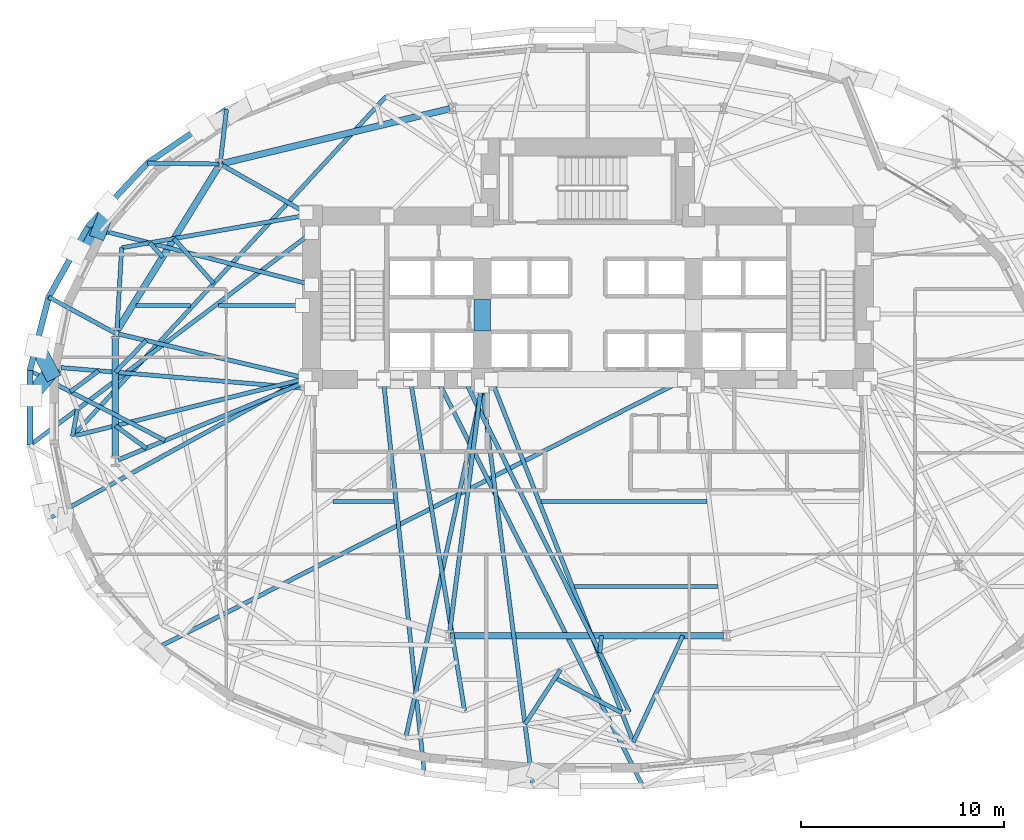
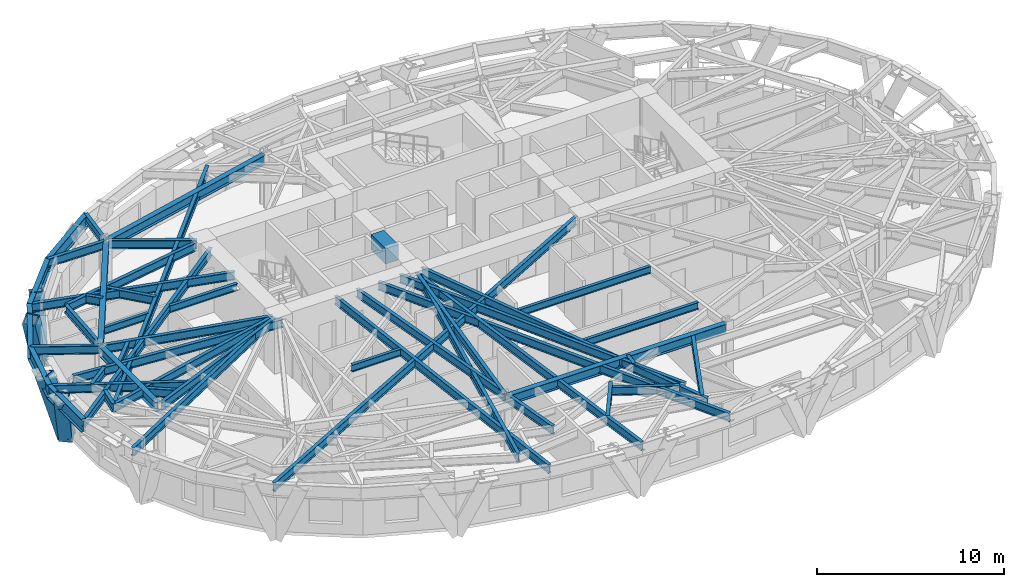
# One storey, part 2 of 15: 49 beams, 4 members.
"""IFC4 building model written with IfcOpenShell, lengths in metres."""

from ifc_helpers import new_model, si_unit, direction, frame, origin, origin_2d, place, context, subcontext, project, spatial, rectangle, hollow_rectangle, i_section, extrude, material, material_profile, profile_set, type_object, element, save


model = new_model("IFC4")

# Units and contexts
model_context = context("Model", 3, precision=1e-05, world=origin(), true_north=direction((0.0, 1.0)))
body_context = subcontext(model_context, "Body", "Model", "MODEL_VIEW")
ifc_project = project(units=[si_unit("LENGTHUNIT", "METRE"), si_unit("AREAUNIT", "SQUARE_METRE"), si_unit("VOLUMEUNIT", "CUBIC_METRE"), si_unit("PLANEANGLEUNIT", "RADIAN"), si_unit("MASSUNIT", "GRAM", prefix="KILO")], contexts=[model_context])

# Site, building, storey
site_placement = place(None, origin())
site = spatial("IfcSite", under=ifc_project, at=site_placement, CompositionType="ELEMENT")
building_placement = place(site_placement, origin())
building = spatial("IfcBuilding", under=site, at=building_placement, Name="Keldmark Tower", CompositionType="ELEMENT")
storey_placement = place(building_placement, frame((0.0, 0.0, 37.800048828125)))
storey = spatial("IfcBuildingStorey", under=building, at=storey_placement, Name="L09", CompositionType="ELEMENT", Elevation=37.800048828125)

# Beams
ifc_material_1 = material(Name="Steel ASTM A992 Grade 50", Category="steel")
ifc_material_profile_1 = material_profile(ifc_material_1, i_section(OverallWidth=0.19091796875, OverallDepth=0.45703125, WebThickness=0.009033203125, FlangeThickness=0.014404296875, at=origin_2d()), Name="W18X50")
ifc_profile_set_1 = profile_set([ifc_material_profile_1], Name="Steel ASTM A992 Grade 50")
beam_type_1 = type_object("IfcBeamType", Name="Composite Floor Joist W18X50", PredefinedType="JOIST", material=ifc_profile_set_1)
beam_1_placement = place(storey_placement, frame((-0.66064453125, -8.780029296875, 3.17138671875), z_axis=(1.0, 0.0, 0.0), x_axis=(0.0, 1.0, 0.0)))
element("IfcBeam", 1, at=beam_1_placement, inside=storey, type_object=beam_type_1, Name="L09 Composite Floor Joist J05", PredefinedType="JOIST", context=body_context, shape_type="SweptSolid", body=[
    extrude(i_section(OverallWidth=0.19091796875, OverallDepth=0.45703125, WebThickness=0.009033203125, FlangeThickness=0.014404296875, at=origin_2d()), origin(), (0.0, 0.0, 1.0), 7.07177734375),
])
beam_2_placement = place(storey_placement, frame((-12.5537109375, -4.60009765625, 3.17138671875), z_axis=(1.0, 0.0, 0.0), x_axis=(0.0, 1.0, 0.0)))
element("IfcBeam", 2, at=beam_2_placement, inside=storey, type_object=beam_type_1, Name="L09 Composite Floor Joist J07", PredefinedType="JOIST", context=body_context, shape_type="SweptSolid", body=[
    extrude(i_section(OverallWidth=0.19091796875, OverallDepth=0.45703125, WebThickness=0.009033203125, FlangeThickness=0.014404296875, at=origin_2d()), origin(), (0.0, 0.0, 1.0), 3.016357421875),
])
beam_3_placement = place(storey_placement, frame((-2.29736328125, -4.60009765625, 3.17138671875), z_axis=(1.0, 0.0, 0.0), x_axis=(0.0, 1.0, 0.0)))
element("IfcBeam", 3, at=beam_3_placement, inside=storey, type_object=beam_type_1, Name="L09 Composite Floor Joist J08", PredefinedType="JOIST", context=body_context, shape_type="SweptSolid", body=[
    extrude(i_section(OverallWidth=0.19091796875, OverallDepth=0.45703125, WebThickness=0.009033203125, FlangeThickness=0.014404296875, at=origin_2d()), origin(), (0.0, 0.0, 1.0), 8.170654296875),
])
beam_4_placement = place(storey_placement, frame((-22.2294921875, 5.0400390625, 3.17138671875), z_axis=(1.0, 0.0, 0.0), x_axis=(0.0, 1.0, 0.0)))
element("IfcBeam", 4, at=beam_4_placement, inside=storey, type_object=beam_type_1, Name="L09 Composite Floor Joist J11", PredefinedType="JOIST", context=body_context, shape_type="SweptSolid", body=[
    extrude(i_section(OverallWidth=0.19091796875, OverallDepth=0.45703125, WebThickness=0.009033203125, FlangeThickness=0.014404296875, at=origin_2d()), origin(), (0.0, 0.0, 1.0), 2.66943359375),
])
beam_5_placement = place(storey_placement, frame((-18.187255859375, 5.0400390625, 3.17138671875), z_axis=(1.0, 0.0, 0.0), x_axis=(0.0, 1.0, 0.0)))
element("IfcBeam", 5, at=beam_5_placement, inside=storey, type_object=beam_type_1, Name="L09 Composite Floor Joist J12", PredefinedType="JOIST", context=body_context, shape_type="SweptSolid", body=[
    extrude(i_section(OverallWidth=0.19091796875, OverallDepth=0.45703125, WebThickness=0.009033203125, FlangeThickness=0.014404296875, at=origin_2d()), origin(), (0.0, 0.0, 1.0), 4.142333984375),
])
ifc_material_2 = material(Name="Concrete C70/85", Category="concrete")
ifc_material_profile_2 = material_profile(ifc_material_2, rectangle(XDim=0.800048828125, YDim=1.0, at=origin_2d()), Name="RCB800X1000")
ifc_profile_set_2 = profile_set([ifc_material_profile_2], Name="Concrete C70/85")
beam_type_2 = type_object("IfcBeamType", Name="Core Coupling Beam RCB800X1000", PredefinedType="USERDEFINED", material=ifc_profile_set_2)
beam_6_placement = place(storey_placement, frame((-5.199951171875, 3.800048828125, 2.89990234375), z_axis=(0.0, 1.0, 0.0), x_axis=(-1.0, 0.0, 0.0)))
element("IfcBeam", 6, at=beam_6_placement, inside=storey, type_object=beam_type_2, Name="L09 West Core Coupling Beam", ObjectType="COUPLING BEAM", PredefinedType="USERDEFINED", context=body_context, shape_type="SweptSolid", body=[
    extrude(rectangle(XDim=0.800048828125, YDim=1.0, at=origin_2d()), origin(), (0.0, 0.0, 1.0), 1.550048828125),
])

# Members
ifc_material_3 = material(Name="Steel ASTM A572 Grade 50", Category="steel")
ifc_material_profile_3 = material_profile(ifc_material_3, hollow_rectangle(XDim=0.75, YDim=0.75, WallThickness=0.06494140625, at=origin_2d()), Name="BOX750X750X65")
ifc_profile_set_3 = profile_set([ifc_material_profile_3], Name="Steel ASTM A572 Grade 50")
member_type = type_object("IfcMemberType", Name="Diagrid Lower Brace BOX750X750X65", PredefinedType="BRACE", material=ifc_profile_set_3)
member_1_placement = place(storey_placement, frame((-24.059814453125, 8.689697265625, -0.280029296875), z_axis=(0.125442726362, 0.324376501536, 0.93757346787), x_axis=(-0.932686500916, 0.360688079938, 0.0)))
element("IfcMember", 7, at=member_1_placement, inside=storey, type_object=member_type, Name="L09 Perimeter Diagrid Brace 07A", PredefinedType="BRACE", context=body_context, shape_type="SweptSolid", body=[
    extrude(hollow_rectangle(XDim=0.75, YDim=0.75, WallThickness=0.06494140625, at=origin_2d()), origin(), (0.0, 0.0, 1.0), 3.797119140625),
])
member_2_placement = place(storey_placement, frame((-24.053466796875, 8.69970703125, -0.280029296875), z_axis=(-0.296475355452, -0.25052831145, 0.921595317247), x_axis=(0.645438466193, -0.763812271673, 0.0)))
element("IfcMember", 8, at=member_2_placement, inside=storey, type_object=member_type, Name="L09 Perimeter Diagrid Brace 07B", PredefinedType="BRACE", context=body_context, shape_type="SweptSolid", body=[
    extrude(hollow_rectangle(XDim=0.75, YDim=0.75, WallThickness=0.06494140625, at=origin_2d()), origin(), (0.0, 0.0, 1.0), 3.863037109375),
])
member_3_placement = place(storey_placement, frame((-26.43798828125, 1.750244140625, -0.280029296875), z_axis=(-0.172317654583, 0.331595398058, 0.927551140318), x_axis=(-0.887339394484, -0.461116903828, 0.0)))
element("IfcMember", 9, at=member_3_placement, inside=storey, type_object=member_type, Name="L09 Perimeter Diagrid Brace 08A", PredefinedType="BRACE", context=body_context, shape_type="SweptSolid", body=[
    extrude(hollow_rectangle(XDim=0.75, YDim=0.75, WallThickness=0.06494140625, at=origin_2d()), origin(), (0.0, 0.0, 1.0), 3.838134765625),
])
member_4_placement = place(storey_placement, frame((-26.435546875, 1.76171875, -0.280029296875), z_axis=(-0.251016932133, -0.299124301923, 0.920605861258), x_axis=(0.766016901718, -0.642820430822, 0.0)))
element("IfcMember", 10, at=member_4_placement, inside=storey, type_object=member_type, Name="L09 Perimeter Diagrid Brace 08B", PredefinedType="BRACE", context=body_context, shape_type="SweptSolid", body=[
    extrude(hollow_rectangle(XDim=0.75, YDim=0.75, WallThickness=0.06494140625, at=origin_2d()), origin(), (0.0, 0.0, 1.0), 3.8671875),
])

# Beams
ifc_material_4 = material(Name="Steel ASTM A992 Grade 50", Category="steel")
ifc_material_profile_4 = material_profile(ifc_material_4, i_section(OverallWidth=0.323974609375, OverallDepth=0.611083984375, WebThickness=0.0126953125, FlangeThickness=0.01904296875, at=origin_2d()), Name="W24X104")
ifc_profile_set_4 = profile_set([ifc_material_profile_4], Name="Steel ASTM A992 Grade 50")
beam_type_3 = type_object("IfcBeamType", Name="Primary Floor Girder W24X104", PredefinedType="BEAM", material=ifc_profile_set_4)
beam_7_placement = place(storey_placement, frame((-6.80126953125, 14.727294921875, 3.094482421875), z_axis=(-0.972218707757, -0.2340743136, 0.0), x_axis=(0.2340743136, -0.972218707757, 0.0)))
element("IfcBeam", 11, at=beam_7_placement, inside=storey, type_object=beam_type_3, Name="L09 Floor Ring Girder FG-R04", PredefinedType="BEAM", context=body_context, shape_type="SweptSolid", body=[
    extrude(i_section(OverallWidth=0.323974609375, OverallDepth=0.611083984375, WebThickness=0.0126953125, FlangeThickness=0.01904296875, at=origin_2d()), origin(), (0.0, 0.0, 1.0), 11.479248046875),
])
beam_8_placement = place(storey_placement, frame((-18.17138671875, 11.888427734375, 3.094482421875), z_axis=(-0.526318405849, -0.850287560573, 0.0), x_axis=(0.850287560573, -0.526318405849, 0.0)))
element("IfcBeam", 12, at=beam_8_placement, inside=storey, type_object=beam_type_3, Name="L09 Floor Ring Girder FG-R05", PredefinedType="BEAM", context=body_context, shape_type="SweptSolid", body=[
    extrude(i_section(OverallWidth=0.323974609375, OverallDepth=0.611083984375, WebThickness=0.0126953125, FlangeThickness=0.01904296875, at=origin_2d()), origin(), (0.0, 0.0, 1.0), 9.51708984375),
])
beam_9_placement = place(storey_placement, frame((-23.25390625, 3.537109375, 3.094482421875), z_axis=(0.0, -1.0, 0.0), x_axis=(1.0, 0.0, 0.0)))
element("IfcBeam", 13, at=beam_9_placement, inside=storey, type_object=beam_type_3, Name="L09 Floor Ring Girder FG-R06", PredefinedType="BEAM", context=body_context, shape_type="SweptSolid", body=[
    extrude(i_section(OverallWidth=0.323974609375, OverallDepth=0.611083984375, WebThickness=0.0126953125, FlangeThickness=0.01904296875, at=origin_2d()), origin(), (0.0, 0.0, 1.0), 6.01025390625),
])
beam_10_placement = place(storey_placement, frame((-6.68212890625, -11.205810546875, 3.094482421875), z_axis=(1.0, 0.0, 0.0), x_axis=(0.0, 1.0, 0.0)))
element("IfcBeam", 14, at=beam_10_placement, inside=storey, type_object=beam_type_3, Name="L09 Floor Ring Girder FG-R09", PredefinedType="BEAM", context=body_context, shape_type="SweptSolid", body=[
    extrude(i_section(OverallWidth=0.323974609375, OverallDepth=0.611083984375, WebThickness=0.0126953125, FlangeThickness=0.01904296875, at=origin_2d()), origin(), (0.0, 0.0, 1.0), 13.3642578125),
])
ifc_material_5 = material(Name="Steel ASTM A992 Grade 50", Category="steel")
ifc_material_profile_5 = material_profile(ifc_material_5, i_section(OverallWidth=0.2099609375, OverallDepth=0.537109375, WebThickness=0.010986328125, FlangeThickness=0.017333984375, at=origin_2d()), Name="W21X68")
ifc_profile_set_5 = profile_set([ifc_material_profile_5], Name="Steel ASTM A992 Grade 50")
beam_type_4 = type_object("IfcBeamType", Name="Radial Tie Girder W21X68", PredefinedType="BEAM", material=ifc_profile_set_5)
beam_11_placement = place(storey_placement, frame((-21.740234375, -1.98388671875, 3.13134765625), z_axis=(-0.806632426687, 0.591053405554, 0.0), x_axis=(-0.591053405554, -0.806632426687, 0.0)))
element("IfcBeam", 15, at=beam_11_placement, inside=storey, type_object=beam_type_4, Name="L09 Framing Pin Header PH-005", PredefinedType="BEAM", context=body_context, shape_type="SweptSolid", body=[
    extrude(i_section(OverallWidth=0.2099609375, OverallDepth=0.537109375, WebThickness=0.010986328125, FlangeThickness=0.017333984375, at=origin_2d()), origin(), (0.0, 0.0, 1.0), 1.87646484375),
])
beam_12_placement = place(storey_placement, frame((-14.050048828125, 1.39990234375, 3.13134765625), z_axis=(-0.970791969309, -0.239922804929, 0.0), x_axis=(0.239922804929, -0.970791969309, 0.0)))
element("IfcBeam", 16, at=beam_12_placement, inside=storey, type_object=beam_type_4, Name="L09 Sub-Ring Step Girder STP1-M07", PredefinedType="BEAM", context=body_context, shape_type="SweptSolid", body=[
    extrude(i_section(OverallWidth=0.2099609375, OverallDepth=0.537109375, WebThickness=0.010986328125, FlangeThickness=0.017333984375, at=origin_2d()), origin(), (0.0, 0.0, 1.0), 11.656494140625),
])
beam_13_placement = place(storey_placement, frame((-8.735595703125, 1.39990234375, 3.13134765625), z_axis=(0.161620615206, -0.98685296612, 0.0), x_axis=(0.98685296612, 0.161620615206, 0.0)))
element("IfcBeam", 17, at=beam_13_placement, inside=storey, type_object=beam_type_4, Name="L09 Sub-Ring Step Girder STP1-M09", PredefinedType="BEAM", context=body_context, shape_type="SweptSolid", body=[
    extrude(i_section(OverallWidth=0.2099609375, OverallDepth=0.537109375, WebThickness=0.010986328125, FlangeThickness=0.017333984375, at=origin_2d()), origin(), (0.0, 0.0, 1.0), 16.533203125),
])
beam_14_placement = place(storey_placement, frame((-9.9326171875, 15.33251953125, 3.13134765625), z_axis=(-0.678065786913, -0.735001216746, 0.0), x_axis=(0.735001216746, -0.678065786913, 0.0)))
element("IfcBeam", 18, at=beam_14_placement, inside=storey, type_object=beam_type_4, Name="L09 Perimeter Collector Ring Beam CRG1-M05", PredefinedType="BEAM", context=body_context, shape_type="SweptSolid", body=[
    extrude(i_section(OverallWidth=0.2099609375, OverallDepth=0.537109375, WebThickness=0.010986328125, FlangeThickness=0.017333984375, at=origin_2d()), origin(), (0.0, 0.0, 1.0), 22.7607421875),
])
beam_15_placement = place(storey_placement, frame((-21.73681640625, 3.3193359375, 3.13134765625), z_axis=(-0.697669764864, -0.716419499452, 0.0), x_axis=(0.716419499452, -0.697669764864, 0.0)))
element("IfcBeam", 19, at=beam_15_placement, inside=storey, type_object=beam_type_4, Name="L09 Framing Pin Header PH-010", PredefinedType="BEAM", context=body_context, shape_type="SweptSolid", body=[
    extrude(i_section(OverallWidth=0.2099609375, OverallDepth=0.537109375, WebThickness=0.010986328125, FlangeThickness=0.017333984375, at=origin_2d()), origin(), (0.0, 0.0, 1.0), 2.174560546875),
])
beam_16_placement = place(storey_placement, frame((-13.60009765625, 0.949951171875, 3.13134765625), z_axis=(-0.996486036928, 0.083759048507, 0.0), x_axis=(-0.083759048507, -0.996486036928, 0.0)))
element("IfcBeam", 20, at=beam_16_placement, inside=storey, type_object=beam_type_4, Name="L09 Sub-Ring Step Girder STP2-M07", PredefinedType="BEAM", context=body_context, shape_type="SweptSolid", body=[
    extrude(i_section(OverallWidth=0.2099609375, OverallDepth=0.537109375, WebThickness=0.010986328125, FlangeThickness=0.017333984375, at=origin_2d()), origin(), (0.0, 0.0, 1.0), 12.373291015625),
])
beam_17_placement = place(storey_placement, frame((-5.199951171875, 0.949951171875, 3.13134765625), z_axis=(-0.213990447824, -0.976835752949, 0.0), x_axis=(0.976835752949, -0.213990447824, 0.0)))
element("IfcBeam", 21, at=beam_17_placement, inside=storey, type_object=beam_type_4, Name="L09 Sub-Ring Step Girder STP2-M09", PredefinedType="BEAM", context=body_context, shape_type="SweptSolid", body=[
    extrude(i_section(OverallWidth=0.2099609375, OverallDepth=0.537109375, WebThickness=0.010986328125, FlangeThickness=0.017333984375, at=origin_2d()), origin(), (0.0, 0.0, 1.0), 17.608642578125),
])
beam_18_placement = place(storey_placement, frame((0.668212890625, -11.205810546875, 3.13134765625), z_axis=(-0.088438496664, -0.996081639379, 0.0), x_axis=(0.996081639379, -0.088438496664, 0.0)))
element("IfcBeam", 22, at=beam_18_placement, inside=storey, type_object=beam_type_4, Name="L09 Framing Pin Header PH-013", PredefinedType="BEAM", context=body_context, shape_type="SweptSolid", body=[
    extrude(i_section(OverallWidth=0.2099609375, OverallDepth=0.537109375, WebThickness=0.010986328125, FlangeThickness=0.017333984375, at=origin_2d()), origin(), (0.0, 0.0, 1.0), 0.850341796875),
])
beam_19_placement = place(storey_placement, frame((-6.07861328125, 1.39990234375, 3.13134765625), z_axis=(0.444303636595, -0.895876262945, 0.0), x_axis=(0.895876262945, 0.444303636595, 0.0)))
element("IfcBeam", 23, at=beam_19_placement, inside=storey, type_object=beam_type_4, Name="L09 Sub-Ring Step Girder STP2-M10", PredefinedType="BEAM", context=body_context, shape_type="SweptSolid", body=[
    extrude(i_section(OverallWidth=0.2099609375, OverallDepth=0.537109375, WebThickness=0.010986328125, FlangeThickness=0.017333984375, at=origin_2d()), origin(), (0.0, 0.0, 1.0), 18.27099609375),
])
beam_20_placement = place(storey_placement, frame((-18.09765625, 12.00732421875, 3.13134765625), z_axis=(0.115438533169, 0.993314625413, 0.0), x_axis=(-0.993314625413, 0.115438533169, 0.0)))
element("IfcBeam", 24, at=beam_20_placement, inside=storey, type_object=beam_type_4, Name="L09 Perimeter Column Bracket RT-12", PredefinedType="BEAM", context=body_context, shape_type="SweptSolid", body=[
    extrude(i_section(OverallWidth=0.2099609375, OverallDepth=0.537109375, WebThickness=0.010986328125, FlangeThickness=0.017333984375, at=origin_2d()), origin(), (0.0, 0.0, 1.0), 2.696533203125),
])
beam_21_placement = place(storey_placement, frame((-18.09765625, 12.00732421875, 3.13134765625), z_axis=(-0.999921071329, 0.012563881257, 0.0), x_axis=(-0.012563881257, -0.999921071329, 0.0)))
element("IfcBeam", 25, at=beam_21_placement, inside=storey, type_object=beam_type_4, Name="L09 Perimeter Column Bracket RT-13", PredefinedType="BEAM", context=body_context, shape_type="SweptSolid", body=[
    extrude(i_section(OverallWidth=0.2099609375, OverallDepth=0.537109375, WebThickness=0.010986328125, FlangeThickness=0.017333984375, at=origin_2d()), origin(), (0.0, 0.0, 1.0), 3.575439453125),
])
beam_22_placement = place(storey_placement, frame((-18.4208984375, 6.13134765625, 3.13134765625), z_axis=(-0.661739577532, 0.749733773767, 0.0), x_axis=(-0.749733773767, -0.661739577532, 0.0)))
element("IfcBeam", 26, at=beam_22_placement, inside=storey, type_object=beam_type_4, Name="L09 Framing Pin Header PH-022", PredefinedType="BEAM", context=body_context, shape_type="SweptSolid", body=[
    extrude(i_section(OverallWidth=0.2099609375, OverallDepth=0.537109375, WebThickness=0.010986328125, FlangeThickness=0.017333984375, at=origin_2d()), origin(), (0.0, 0.0, 1.0), 2.94384765625),
])
beam_23_placement = place(storey_placement, frame((-14.050048828125, 9.449951171875, 3.13134765625), z_axis=(-0.984876463888, -0.173258047087, 0.0), x_axis=(0.173258047087, -0.984876463888, 0.0)))
element("IfcBeam", 27, at=beam_23_placement, inside=storey, type_object=beam_type_4, Name="L09 Intermediate Radial Step Girder RT-14M", PredefinedType="BEAM", context=body_context, shape_type="SweptSolid", body=[
    extrude(i_section(OverallWidth=0.2099609375, OverallDepth=0.537109375, WebThickness=0.010986328125, FlangeThickness=0.017333984375, at=origin_2d()), origin(), (0.0, 0.0, 1.0), 9.033935546875),
])
beam_24_placement = place(storey_placement, frame((-23.180419921875, 3.796142578125, 3.13134765625), z_axis=(0.056932645284, 0.998378021543, 0.0), x_axis=(-0.998378021543, 0.056932645284, 0.0)))
element("IfcBeam", 28, at=beam_24_placement, inside=storey, type_object=beam_type_4, Name="L09 Local Collector Chord RT-14C", PredefinedType="BEAM", context=body_context, shape_type="SweptSolid", body=[
    extrude(i_section(OverallWidth=0.2099609375, OverallDepth=0.537109375, WebThickness=0.010986328125, FlangeThickness=0.017333984375, at=origin_2d()), origin(), (0.0, 0.0, 1.0), 4.09521484375),
])
beam_25_placement = place(storey_placement, frame((-20.92626953125, 7.437744140625, 3.13134765625), z_axis=(-0.683036945409, 0.730383824579, 0.0), x_axis=(-0.730383824579, -0.683036945409, 0.0)))
element("IfcBeam", 29, at=beam_25_placement, inside=storey, type_object=beam_type_4, Name="L09 Framing Pin Header PH-023", PredefinedType="BEAM", context=body_context, shape_type="SweptSolid", body=[
    extrude(i_section(OverallWidth=0.2099609375, OverallDepth=0.537109375, WebThickness=0.010986328125, FlangeThickness=0.017333984375, at=origin_2d()), origin(), (0.0, 0.0, 1.0), 0.943603515625),
])
beam_26_placement = place(storey_placement, frame((-13.60009765625, 6.064208984375, 3.13134765625), z_axis=(-0.96811154628, 0.250519528099, 0.0), x_axis=(-0.250519528099, -0.96811154628, 0.0)))
element("IfcBeam", 30, at=beam_26_placement, inside=storey, type_object=beam_type_4, Name="L09 Perimeter Radial Tie Girder RT-14", PredefinedType="BEAM", context=body_context, shape_type="SweptSolid", body=[
    extrude(i_section(OverallWidth=0.2099609375, OverallDepth=0.537109375, WebThickness=0.010986328125, FlangeThickness=0.017333984375, at=origin_2d()), origin(), (0.0, 0.0, 1.0), 11.370849609375),
])
beam_27_placement = place(storey_placement, frame((-23.25390625, 3.67724609375, 3.13134765625), z_axis=(-0.8794299536, 0.476028315031, 0.0), x_axis=(-0.476028315031, -0.8794299536, 0.0)))
element("IfcBeam", 31, at=beam_27_placement, inside=storey, type_object=beam_type_4, Name="L09 Perimeter Column Bracket RT-15", PredefinedType="BEAM", context=body_context, shape_type="SweptSolid", body=[
    extrude(i_section(OverallWidth=0.2099609375, OverallDepth=0.537109375, WebThickness=0.010986328125, FlangeThickness=0.017333984375, at=origin_2d()), origin(), (0.0, 0.0, 1.0), 3.734619140625),
])
beam_28_placement = place(storey_placement, frame((-24.080322265625, 1.830810546875, 3.13134765625), z_axis=(-0.802099318173, -0.597190659493, 0.0), x_axis=(0.597190659493, -0.802099318173, 0.0)))
element("IfcBeam", 32, at=beam_28_placement, inside=storey, type_object=beam_type_4, Name="L09 Framing Pin Header PH-024", PredefinedType="BEAM", context=body_context, shape_type="SweptSolid", body=[
    extrude(i_section(OverallWidth=0.2099609375, OverallDepth=0.537109375, WebThickness=0.010986328125, FlangeThickness=0.017333984375, at=origin_2d()), origin(), (0.0, 0.0, 1.0), 1.726318359375),
])
beam_29_placement = place(storey_placement, frame((-20.8173828125, -1.600341796875, 3.13134765625), z_axis=(-0.888517255374, 0.458843205138, 0.0), x_axis=(-0.458843205138, -0.888517255374, 0.0)))
element("IfcBeam", 33, at=beam_29_placement, inside=storey, type_object=beam_type_4, Name="L09 Perimeter Radial Tie Girder RT-16", PredefinedType="BEAM", context=body_context, shape_type="SweptSolid", body=[
    extrude(i_section(OverallWidth=0.2099609375, OverallDepth=0.537109375, WebThickness=0.010986328125, FlangeThickness=0.017333984375, at=origin_2d()), origin(), (0.0, 0.0, 1.0), 7.482666015625),
])
beam_30_placement = place(storey_placement, frame((-25.365966796875, -1.396728515625, 3.13134765625), z_axis=(0.178455825361, 0.983947924636, 0.0), x_axis=(-0.983947924636, 0.178455825361, 0.0)))
element("IfcBeam", 34, at=beam_30_placement, inside=storey, type_object=beam_type_4, Name="L09 Framing Pin Header PH-025", PredefinedType="BEAM", context=body_context, shape_type="SweptSolid", body=[
    extrude(i_section(OverallWidth=0.2099609375, OverallDepth=0.537109375, WebThickness=0.010986328125, FlangeThickness=0.017333984375, at=origin_2d()), origin(), (0.0, 0.0, 1.0), 1.350341796875),
])
beam_31_placement = place(storey_placement, frame((-13.60009765625, 8.621337890625, 3.13134765625), z_axis=(-0.798475663961, -0.602027087482, 0.0), x_axis=(0.602027087482, -0.798475663961, 0.0)))
element("IfcBeam", 35, at=beam_31_placement, inside=storey, type_object=beam_type_4, Name="L09 Perimeter Radial Tie Girder RT-17", PredefinedType="BEAM", context=body_context, shape_type="SweptSolid", body=[
    extrude(i_section(OverallWidth=0.2099609375, OverallDepth=0.537109375, WebThickness=0.010986328125, FlangeThickness=0.017333984375, at=origin_2d()), origin(), (0.0, 0.0, 1.0), 17.365234375),
])
beam_32_placement = place(storey_placement, frame((-14.050048828125, 1.39990234375, 3.13134765625), z_axis=(-0.876617956522, -0.481187030482, 0.0), x_axis=(0.481187030482, -0.876617956522, 0.0)))
element("IfcBeam", 36, at=beam_32_placement, inside=storey, type_object=beam_type_4, Name="L09 Perimeter Radial Tie Girder RT-18", PredefinedType="BEAM", context=body_context, shape_type="SweptSolid", body=[
    extrude(i_section(OverallWidth=0.2099609375, OverallDepth=0.537109375, WebThickness=0.010986328125, FlangeThickness=0.017333984375, at=origin_2d()), origin(), (0.0, 0.0, 1.0), 14.24609375),
])
beam_33_placement = place(storey_placement, frame((4.75, 1.39990234375, 3.13134765625), z_axis=(-0.891156094168, -0.453696832508, 0.0), x_axis=(0.453696832508, -0.891156094168, 0.0)))
element("IfcBeam", 37, at=beam_33_placement, inside=storey, type_object=beam_type_4, Name="L09 Perimeter Radial Tie Girder RT-20", PredefinedType="BEAM", context=body_context, shape_type="SweptSolid", body=[
    extrude(i_section(OverallWidth=0.2099609375, OverallDepth=0.537109375, WebThickness=0.010986328125, FlangeThickness=0.017333984375, at=origin_2d()), origin(), (0.0, 0.0, 1.0), 29.650146484375),
])
beam_34_placement = place(storey_placement, frame((-10.064208984375, 1.39990234375, 3.13134765625), z_axis=(0.103347098695, -0.994645352471, 0.0), x_axis=(0.994645352471, 0.103347098695, 0.0)))
element("IfcBeam", 38, at=beam_34_placement, inside=storey, type_object=beam_type_4, Name="L09 Perimeter Radial Tie Girder RT-23", PredefinedType="BEAM", context=body_context, shape_type="SweptSolid", body=[
    extrude(i_section(OverallWidth=0.2099609375, OverallDepth=0.537109375, WebThickness=0.010986328125, FlangeThickness=0.017333984375, at=origin_2d()), origin(), (0.0, 0.0, 1.0), 19.48681640625),
])
beam_35_placement = place(storey_placement, frame((-1.34912109375, -12.88818359375, 3.13134765625), z_axis=(-0.54576672663, -0.83793715761, 0.0), x_axis=(0.83793715761, -0.54576672663, 0.0)))
element("IfcBeam", 39, at=beam_35_placement, inside=storey, type_object=beam_type_4, Name="L09 Framing Pin Header PH-032", PredefinedType="BEAM", context=body_context, shape_type="SweptSolid", body=[
    extrude(i_section(OverallWidth=0.2099609375, OverallDepth=0.537109375, WebThickness=0.010986328125, FlangeThickness=0.017333984375, at=origin_2d()), origin(), (0.0, 0.0, 1.0), 3.1962890625),
])
beam_36_placement = place(storey_placement, frame((-5.199951171875, 0.949951171875, 3.13134765625), z_axis=(0.126518099542, -0.991964298999, 0.0), x_axis=(0.991964298999, 0.126518099542, 0.0)))
element("IfcBeam", 40, at=beam_36_placement, inside=storey, type_object=beam_type_4, Name="L09 Perimeter Radial Tie Girder RT-24", PredefinedType="BEAM", context=body_context, shape_type="SweptSolid", body=[
    extrude(i_section(OverallWidth=0.2099609375, OverallDepth=0.537109375, WebThickness=0.010986328125, FlangeThickness=0.017333984375, at=origin_2d()), origin(), (0.0, 0.0, 1.0), 19.719482421875),
])
beam_37_placement = place(storey_placement, frame((-1.61083984375, -13.289794921875, 3.13134765625), z_axis=(0.885872748, -0.463928307339, 0.0), x_axis=(0.463928307339, 0.885872748, 0.0)))
element("IfcBeam", 41, at=beam_37_placement, inside=storey, type_object=beam_type_4, Name="L09 Framing Pin Header PH-033", PredefinedType="BEAM", context=body_context, shape_type="SweptSolid", body=[
    extrude(i_section(OverallWidth=0.2099609375, OverallDepth=0.537109375, WebThickness=0.010986328125, FlangeThickness=0.017333984375, at=origin_2d()), origin(), (0.0, 0.0, 1.0), 3.7099609375),
])
beam_38_placement = place(storey_placement, frame((-4.75, 1.39990234375, 3.13134765625), z_axis=(0.364599612987, -0.93116439054, 0.0), x_axis=(0.93116439054, 0.364599612987, 0.0)))
element("IfcBeam", 42, at=beam_38_placement, inside=storey, type_object=beam_type_4, Name="L09 Intermediate Radial Step Girder RT-25M", PredefinedType="BEAM", context=body_context, shape_type="SweptSolid", body=[
    extrude(i_section(OverallWidth=0.2099609375, OverallDepth=0.537109375, WebThickness=0.010986328125, FlangeThickness=0.017333984375, at=origin_2d()), origin(), (0.0, 0.0, 1.0), 19.53466796875),
])
beam_39_placement = place(storey_placement, frame((-7.406982421875, 1.39990234375, 3.13134765625), z_axis=(0.451011997256, -0.892517886841, 0.0), x_axis=(0.892517886841, 0.451011997256, 0.0)))
element("IfcBeam", 43, at=beam_39_placement, inside=storey, type_object=beam_type_4, Name="L09 Perimeter Radial Tie Girder RT-25", PredefinedType="BEAM", context=body_context, shape_type="SweptSolid", body=[
    extrude(i_section(OverallWidth=0.2099609375, OverallDepth=0.537109375, WebThickness=0.010986328125, FlangeThickness=0.017333984375, at=origin_2d()), origin(), (0.0, 0.0, 1.0), 22.4208984375),
])
beam_40_placement = place(storey_placement, frame((4.677490234375, -11.205810546875, 3.13134765625), z_axis=(-0.422170829985, -0.906516293461, 0.0), x_axis=(0.906516293461, -0.422170829985, 0.0)))
element("IfcBeam", 44, at=beam_40_placement, inside=storey, type_object=beam_type_4, Name="L09 Framing Pin Header PH-035", PredefinedType="BEAM", context=body_context, shape_type="SweptSolid", body=[
    extrude(i_section(OverallWidth=0.2099609375, OverallDepth=0.537109375, WebThickness=0.010986328125, FlangeThickness=0.017333984375, at=origin_2d()), origin(), (0.0, 0.0, 1.0), 5.780029296875),
])
ifc_material_6 = material(Name="Steel ASTM A992 Grade 50", Category="steel")
ifc_material_profile_6 = material_profile(ifc_material_6, i_section(OverallWidth=0.214111328125, OverallDepth=0.549072265625, WebThickness=0.0146484375, FlangeThickness=0.023681640625, at=origin_2d()), Name="W21X93")
ifc_profile_set_6 = profile_set([ifc_material_profile_6], Name="Steel ASTM A992 Grade 50")
beam_type_5 = type_object("IfcBeamType", Name="Radial Tie Girder W21X93", PredefinedType="BEAM", material=ifc_profile_set_6)
beam_41_placement = place(storey_placement, frame((-17.97607421875, 11.938232421875, 3.12548828125), z_axis=(0.869299282131, -0.494286109542, 0.0), x_axis=(0.494286109542, 0.869299282131, 0.0)))
element("IfcBeam", 45, at=beam_41_placement, inside=storey, type_object=beam_type_5, Name="L09 Floor Radial Girder FG-C05", PredefinedType="BEAM", context=body_context, shape_type="SweptSolid", body=[
    extrude(i_section(OverallWidth=0.214111328125, OverallDepth=0.549072265625, WebThickness=0.0146484375, FlangeThickness=0.023681640625, at=origin_2d()), origin(), (0.0, 0.0, 1.0), 4.714111328125),
])
beam_42_placement = place(storey_placement, frame((-23.11767578125, 3.64501953125, 3.12548828125), z_axis=(0.973287364179, -0.229590301909, 0.0), x_axis=(0.229590301909, 0.973287364179, 0.0)))
element("IfcBeam", 46, at=beam_42_placement, inside=storey, type_object=beam_type_5, Name="L09 Floor Radial Girder FG-C06", PredefinedType="BEAM", context=body_context, shape_type="SweptSolid", body=[
    extrude(i_section(OverallWidth=0.214111328125, OverallDepth=0.549072265625, WebThickness=0.0146484375, FlangeThickness=0.023681640625, at=origin_2d()), origin(), (0.0, 0.0, 1.0), 9.458740234375),
])
beam_43_placement = place(storey_placement, frame((-23.124755859375, -2.5595703125, 3.12548828125), z_axis=(0.923390978102, 0.383860784088, 0.0), x_axis=(-0.383860784088, 0.923390978102, 0.0)))
element("IfcBeam", 47, at=beam_43_placement, inside=storey, type_object=beam_type_5, Name="L09 Floor Radial Girder FG-C07", PredefinedType="BEAM", context=body_context, shape_type="SweptSolid", body=[
    extrude(i_section(OverallWidth=0.214111328125, OverallDepth=0.549072265625, WebThickness=0.0146484375, FlangeThickness=0.023681640625, at=origin_2d()), origin(), (0.0, 0.0, 1.0), 9.994873046875),
])
beam_44_placement = place(storey_placement, frame((-6.80419921875, -11.06689453125, 3.12548828125), z_axis=(0.127634898593, 0.99182122011, 0.0), x_axis=(-0.99182122011, 0.127634898593, 0.0)))
element("IfcBeam", 48, at=beam_44_placement, inside=storey, type_object=beam_type_5, Name="L09 Floor Radial Girder FG-C09", PredefinedType="BEAM", context=body_context, shape_type="SweptSolid", body=[
    extrude(i_section(OverallWidth=0.214111328125, OverallDepth=0.549072265625, WebThickness=0.0146484375, FlangeThickness=0.023681640625, at=origin_2d()), origin(), (0.0, 0.0, 1.0), 12.24951171875),
])
ifc_material_7 = material(Name="Steel ASTM A992 Grade 50", Category="steel")
ifc_material_profile_7 = material_profile(ifc_material_7, i_section(OverallWidth=0.2919921875, OverallDepth=0.85888671875, WebThickness=0.01708984375, FlangeThickness=0.031005859375, at=origin_2d()), Name="W33X169")
ifc_profile_set_7 = profile_set([ifc_material_profile_7], Name="Steel ASTM A992 Grade 50")
beam_type_6 = type_object("IfcBeamType", Name="Spandrel Ring Beam W33X169", PredefinedType="SPANDREL", material=ifc_profile_set_7)
beam_45_placement = place(storey_placement, frame((-17.786376953125, 14.685791015625, 2.970458984375), z_axis=(-0.827842346852, -0.560960826402, 0.0), x_axis=(0.560960826402, -0.827842346852, 0.0)))
element("IfcBeam", 49, at=beam_45_placement, inside=storey, type_object=beam_type_6, Name="L09 Perimeter Spandrel Ring Beam SRB-12", PredefinedType="SPANDREL", context=body_context, shape_type="SweptSolid", body=[
    extrude(i_section(OverallWidth=0.2919921875, OverallDepth=0.85888671875, WebThickness=0.01708984375, FlangeThickness=0.031005859375, at=origin_2d()), origin(), (0.0, 0.0, 1.0), 4.69482421875),
])
beam_46_placement = place(storey_placement, frame((-21.6728515625, 12.05224609375, 2.970458984375), z_axis=(-0.68299392258, -0.730424056093, 0.0), x_axis=(0.730424056093, -0.68299392258, 0.0)))
element("IfcBeam", 50, at=beam_46_placement, inside=storey, type_object=beam_type_6, Name="L09 Perimeter Spandrel Ring Beam SRB-13", PredefinedType="SPANDREL", context=body_context, shape_type="SweptSolid", body=[
    extrude(i_section(OverallWidth=0.2919921875, OverallDepth=0.85888671875, WebThickness=0.01708984375, FlangeThickness=0.031005859375, at=origin_2d()), origin(), (0.0, 0.0, 1.0), 4.298095703125),
])
beam_47_placement = place(storey_placement, frame((-24.6083984375, 8.912841796875, 2.970458984375), z_axis=(-0.487369438963, -0.873195871477, 0.0), x_axis=(0.873195871477, -0.487369438963, 0.0)))
element("IfcBeam", 51, at=beam_47_placement, inside=storey, type_object=beam_type_6, Name="L09 Perimeter Spandrel Ring Beam SRB-14", PredefinedType="SPANDREL", context=body_context, shape_type="SweptSolid", body=[
    extrude(i_section(OverallWidth=0.2919921875, OverallDepth=0.85888671875, WebThickness=0.01708984375, FlangeThickness=0.031005859375, at=origin_2d()), origin(), (0.0, 0.0, 1.0), 3.9599609375),
])
beam_48_placement = place(storey_placement, frame((-26.538330078125, 5.455078125, 2.970458984375), z_axis=(-0.248062710061, -0.968743976434, 0.0), x_axis=(0.968743976434, -0.248062710061, 0.0)))
element("IfcBeam", 52, at=beam_48_placement, inside=storey, type_object=beam_type_6, Name="L09 Perimeter Spandrel Ring Beam SRB-15", PredefinedType="SPANDREL", context=body_context, shape_type="SweptSolid", body=[
    extrude(i_section(OverallWidth=0.2919921875, OverallDepth=0.85888671875, WebThickness=0.01708984375, FlangeThickness=0.031005859375, at=origin_2d()), origin(), (0.0, 0.0, 1.0), 3.739013671875),
])
beam_49_placement = place(storey_placement, frame((-27.4658203125, 1.8330078125, 2.970458984375), z_axis=(0.0, -1.0, 0.0), x_axis=(1.0, 0.0, 0.0)))
element("IfcBeam", 53, at=beam_49_placement, inside=storey, type_object=beam_type_6, Name="L09 Perimeter Spandrel Ring Beam SRB-16", PredefinedType="SPANDREL", context=body_context, shape_type="SweptSolid", body=[
    extrude(i_section(OverallWidth=0.2919921875, OverallDepth=0.85888671875, WebThickness=0.01708984375, FlangeThickness=0.031005859375, at=origin_2d()), origin(), (0.0, 0.0, 1.0), 3.666015625),
])

save(model, "model.ifc")
